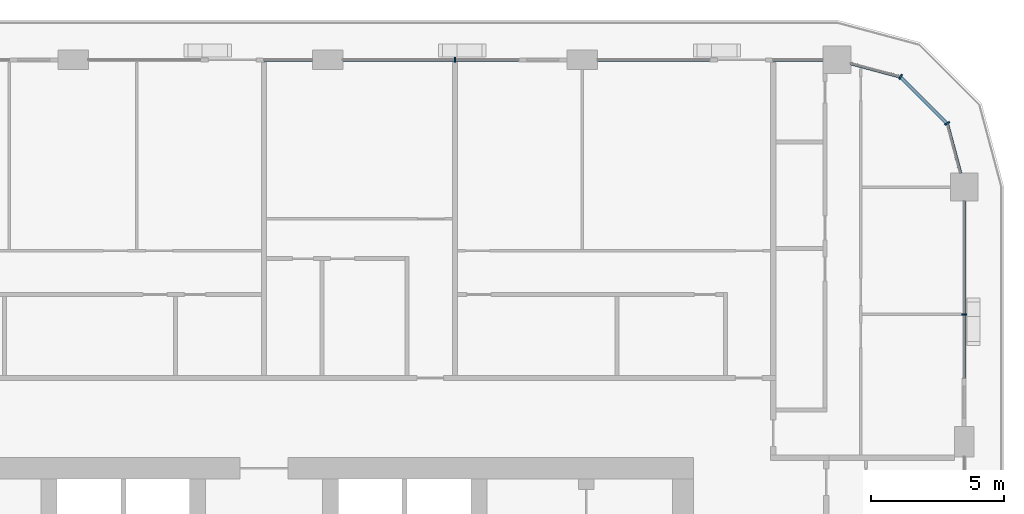
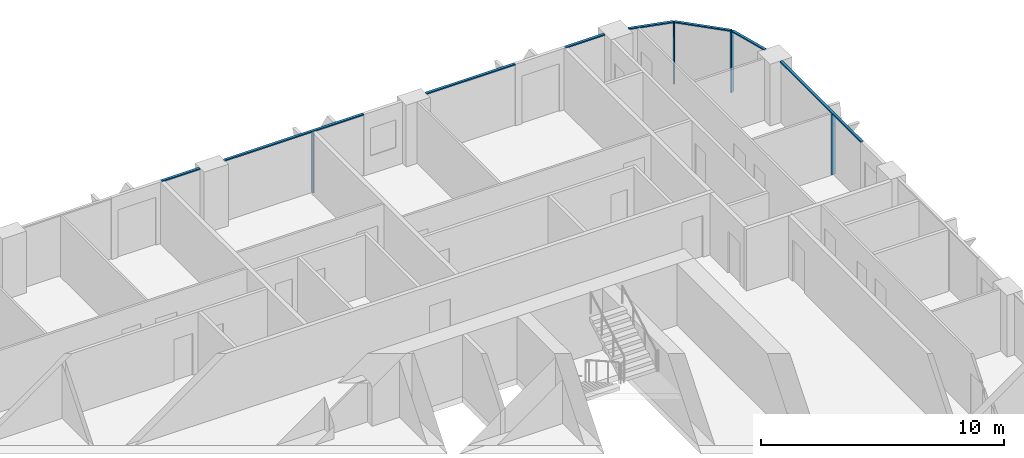
# One storey, part 6 of 22: 12 members, 5 elements without a shape of their own.
"""IFC4 building model written with IfcOpenShell, lengths in metres."""

from ifc_helpers import new_model, si_unit, direction, frame, origin, origin_2d, place, context, subcontext, project, spatial, rectangle, extrude, material, layer, layer_set, material_profile, profile_set, type_object, element, aggregate, save


model = new_model("IFC4")

# Units and contexts
model_context = context("Model", 3, precision=1e-05, world=origin(), true_north=direction((0.0, 1.0)))
body_context = subcontext(model_context, "Body", "Model", "MODEL_VIEW")
ifc_project = project(units=[si_unit("LENGTHUNIT", "METRE"), si_unit("AREAUNIT", "SQUARE_METRE"), si_unit("VOLUMEUNIT", "CUBIC_METRE"), si_unit("PLANEANGLEUNIT", "RADIAN"), si_unit("MASSUNIT", "GRAM", prefix="KILO")], contexts=[model_context])

# Site, building, storey
site_placement = place(None, origin())
site = spatial("IfcSite", under=ifc_project, at=site_placement, CompositionType="ELEMENT")
building_placement = place(site_placement, origin())
building = spatial("IfcBuilding", under=site, at=building_placement, Name="Madar Terraces", CompositionType="ELEMENT")
storey_placement = place(building_placement, frame((0.0, 0.0, 140.10009765625)))
storey = spatial("IfcBuildingStorey", under=building, at=storey_placement, Name="L36", CompositionType="ELEMENT", Elevation=140.10009765625)

# Curtain wall, member
ifc_material_1 = material(Name="Glass, ceramic frit dark grey, with black aluminium frame", Category="aluminium")
ifc_layer = layer(ifc_material_1, 0.199951171875)
ifc_layer_set = layer_set([ifc_layer], Name="Facade curtain wall, fritted glass")
curtain_wall_type = type_object("IfcCurtainWallType", Name="Facade curtain wall, fritted glass", PredefinedType="NOTDEFINED", material=ifc_layer_set)
curtain_wall_1_placement = place(storey_placement, origin())
curtain_wall_1 = element("IfcCurtainWall", 1, at=curtain_wall_1_placement, inside=storey, type_object=curtain_wall_type, Name="Outer skin curtain wall east bay 4", PredefinedType="NOTDEFINED")
ifc_material_2 = material(Name="Aluminium, black anodised", Category="aluminium")
ifc_material_profile_1 = material_profile(ifc_material_2, rectangle(XDim=0.199951171875, YDim=0.06005859375, at=origin_2d()), Name="Facade mullion 60x200")
ifc_profile_set_1 = profile_set([ifc_material_profile_1], Name="Aluminium, black anodised")
member_type_1 = type_object("IfcMemberType", Name="Facade mullion 60x200", PredefinedType="MULLION", material=ifc_profile_set_1)
member_1_placement = place(storey_placement, frame((57.60009765625, 43.199951171875, 0.0), z_axis=(0.0, 0.0, 1.0), x_axis=(-1.0, 0.0, 0.0)))
member_1 = element("IfcMember", 2, at=member_1_placement, type_object=member_type_1, Name="Mullion 1", PredefinedType="MULLION", context=body_context, shape_type="SweptSolid", body=[
    extrude(rectangle(XDim=0.199951171875, YDim=0.06005859375, at=origin_2d()), origin(), (0.0, 0.0, 1.0), 3.039794921875),
])

curtain_wall_2_placement = place(storey_placement, origin())
curtain_wall_2 = element("IfcCurtainWall", 3, at=curtain_wall_2_placement, inside=storey, type_object=curtain_wall_type, Name="Outer skin curtain wall north bay 2", PredefinedType="NOTDEFINED")
member_2_placement = place(storey_placement, frame((38.39990234375, 52.800048828125, 0.0), z_axis=(0.0, 0.0, 1.0), x_axis=(0.0, -1.0, 0.0)))
member_2 = element("IfcMember", 4, at=member_2_placement, type_object=member_type_1, Name="Mullion 1", PredefinedType="MULLION", context=body_context, shape_type="SweptSolid", body=[
    extrude(rectangle(XDim=0.199951171875, YDim=0.06005859375, at=origin_2d()), origin(), (0.0, 0.0, 1.0), 3.039794921875),
])

# Curtain wall, members
curtain_wall_3_placement = place(storey_placement, origin())
curtain_wall_3 = element("IfcCurtainWall", 5, at=curtain_wall_3_placement, inside=storey, type_object=curtain_wall_type, Name="Outer skin curtain wall north-east corner", PredefinedType="NOTDEFINED")
member_3_placement = place(storey_placement, frame((56.95703125, 50.39990234375, 0.0), z_axis=(0.0, 0.0, 1.0), x_axis=(-0.866025409797, -0.499999989586, 0.0)))
member_3 = element("IfcMember", 6, at=member_3_placement, type_object=member_type_1, Name="Mullion 1", PredefinedType="MULLION", context=body_context, shape_type="SweptSolid", body=[
    extrude(rectangle(XDim=0.199951171875, YDim=0.06005859375, at=origin_2d()), origin(), (0.0, 0.0, 1.0), 3.039794921875),
])
member_4_placement = place(storey_placement, frame((55.199951171875, 52.156982421875, 0.0), z_axis=(0.0, 0.0, 1.0), x_axis=(-0.499999989586, -0.866025409797, 0.0)))
member_4 = element("IfcMember", 7, at=member_4_placement, type_object=member_type_1, Name="Mullion 2", PredefinedType="MULLION", context=body_context, shape_type="SweptSolid", body=[
    extrude(rectangle(XDim=0.199951171875, YDim=0.06005859375, at=origin_2d()), origin(), (0.0, 0.0, 1.0), 3.039794921875),
])

# Member
ifc_material_3 = material(Name="Aluminium, black anodised", Category="aluminium")
ifc_material_profile_2 = material_profile(ifc_material_3, rectangle(XDim=0.1201171875, YDim=0.06005859375, at=origin_2d()), Name="Facade transom 60x120")
ifc_profile_set_2 = profile_set([ifc_material_profile_2], Name="Aluminium, black anodised")
member_type_2 = type_object("IfcMemberType", Name="Facade transom 60x120", PredefinedType="USERDEFINED", material=ifc_profile_set_2)
member_5_placement = place(storey_placement, frame((57.60009765625, 40.800048828125, 3.06982421875), z_axis=(0.0, 1.0, 0.0), x_axis=(-1.0, 0.0, 0.0)))
member_5 = element("IfcMember", 8, at=member_5_placement, type_object=member_type_2, Name="Transom 1", ObjectType="TRANSOM", PredefinedType="USERDEFINED", context=body_context, shape_type="SweptSolid", body=[
    extrude(rectangle(XDim=0.1201171875, YDim=0.06005859375, at=origin_2d()), origin(), (0.0, 0.0, 1.0), 6.675048828125),
])

aggregate(curtain_wall_1, [member_1, member_5])

# Curtain wall, members
curtain_wall_4_placement = place(storey_placement, origin())
curtain_wall_4 = element("IfcCurtainWall", 9, at=curtain_wall_4_placement, inside=storey, type_object=curtain_wall_type, Name="Outer skin curtain wall north bay 1", PredefinedType="NOTDEFINED")
member_6_placement = place(storey_placement, frame((52.27490234375, 52.800048828125, 3.06982421875), z_axis=(-1.0, 0.0, 0.0), x_axis=(0.0, -1.0, 0.0)))
member_6 = element("IfcMember", 10, at=member_6_placement, type_object=member_type_2, Name="Transom 1", ObjectType="TRANSOM", PredefinedType="USERDEFINED", context=body_context, shape_type="SweptSolid", body=[
    extrude(rectangle(XDim=0.1201171875, YDim=0.06005859375, at=origin_2d()), origin(), (0.0, 0.0, 1.0), 1.875),
])
member_7_placement = place(storey_placement, frame((48.0, 52.800048828125, 3.06982421875), z_axis=(-1.0, 0.0, 0.0), x_axis=(0.0, -1.0, 0.0)))
member_7 = element("IfcMember", 11, at=member_7_placement, type_object=member_type_2, Name="Transom 2", ObjectType="TRANSOM", PredefinedType="USERDEFINED", context=body_context, shape_type="SweptSolid", body=[
    extrude(rectangle(XDim=0.1201171875, YDim=0.06005859375, at=origin_2d()), origin(), (0.0, 0.0, 1.0), 4.22509765625),
])
aggregate(curtain_wall_4, [member_6, member_7])

# Member
member_8_placement = place(storey_placement, frame((40.800048828125, 52.800048828125, 3.06982421875), z_axis=(-1.0, 0.0, 0.0), x_axis=(0.0, -1.0, 0.0)))
member_8 = element("IfcMember", 12, at=member_8_placement, type_object=member_type_2, Name="Transom 1", ObjectType="TRANSOM", PredefinedType="USERDEFINED", context=body_context, shape_type="SweptSolid", body=[
    extrude(rectangle(XDim=0.1201171875, YDim=0.06005859375, at=origin_2d()), origin(), (0.0, 0.0, 1.0), 6.625),
])

aggregate(curtain_wall_2, [member_2, member_8])

# Curtain wall, member
curtain_wall_5_placement = place(storey_placement, origin())
curtain_wall_5 = element("IfcCurtainWall", 13, at=curtain_wall_5_placement, inside=storey, type_object=curtain_wall_type, Name="Outer skin curtain wall north bay 3", PredefinedType="NOTDEFINED")
member_9_placement = place(storey_placement, frame((33.02490234375, 52.800048828125, 3.06982421875), z_axis=(-1.0, 0.0, 0.0), x_axis=(0.0, -1.0, 0.0)))
member_9 = element("IfcMember", 14, at=member_9_placement, type_object=member_type_2, Name="Transom 1", ObjectType="TRANSOM", PredefinedType="USERDEFINED", context=body_context, shape_type="SweptSolid", body=[
    extrude(rectangle(XDim=0.1201171875, YDim=0.06005859375, at=origin_2d()), origin(), (0.0, 0.0, 1.0), 1.824951171875),
])
aggregate(curtain_wall_5, [member_9])

# Member
member_10_placement = place(storey_placement, frame((57.459228515625, 48.52490234375, 3.06982421875), z_axis=(-0.25879142023, 0.965933227928, 0.0), x_axis=(-0.965933227928, -0.25879142023, 0.0)))
member_10 = element("IfcMember", 15, at=member_10_placement, type_object=member_type_2, Name="Transom 1", ObjectType="TRANSOM", PredefinedType="USERDEFINED", context=body_context, shape_type="SweptSolid", body=[
    extrude(rectangle(XDim=0.1201171875, YDim=0.06005859375, at=origin_2d()), origin(), (0.0, 0.0, 1.0), 1.911376953125),
])

member_11_placement = place(storey_placement, frame((56.935791015625, 50.421142578125, 3.06982421875), z_axis=(-0.707106781187, 0.707106781187, 0.0), x_axis=(-0.707106781187, -0.707106781187, 0.0)))
member_11 = element("IfcMember", 16, at=member_11_placement, type_object=member_type_2, Name="Transom 2", ObjectType="TRANSOM", PredefinedType="USERDEFINED", context=body_context, shape_type="SweptSolid", body=[
    extrude(rectangle(XDim=0.1201171875, YDim=0.06005859375, at=origin_2d()), origin(), (0.0, 0.0, 1.0), 2.4248046875),
])

member_12_placement = place(storey_placement, frame((55.171142578125, 52.164794921875, 3.06982421875), z_axis=(-0.965933227928, 0.25879142023, 0.0), x_axis=(-0.25879142023, -0.965933227928, 0.0)))
member_12 = element("IfcMember", 17, at=member_12_placement, type_object=member_type_2, Name="Transom 3", ObjectType="TRANSOM", PredefinedType="USERDEFINED", context=body_context, shape_type="SweptSolid", body=[
    extrude(rectangle(XDim=0.1201171875, YDim=0.06005859375, at=origin_2d()), origin(), (0.0, 0.0, 1.0), 1.911376953125),
])

aggregate(curtain_wall_3, [member_3, member_10, member_4, member_11, member_12])

save(model, "model.ifc")
